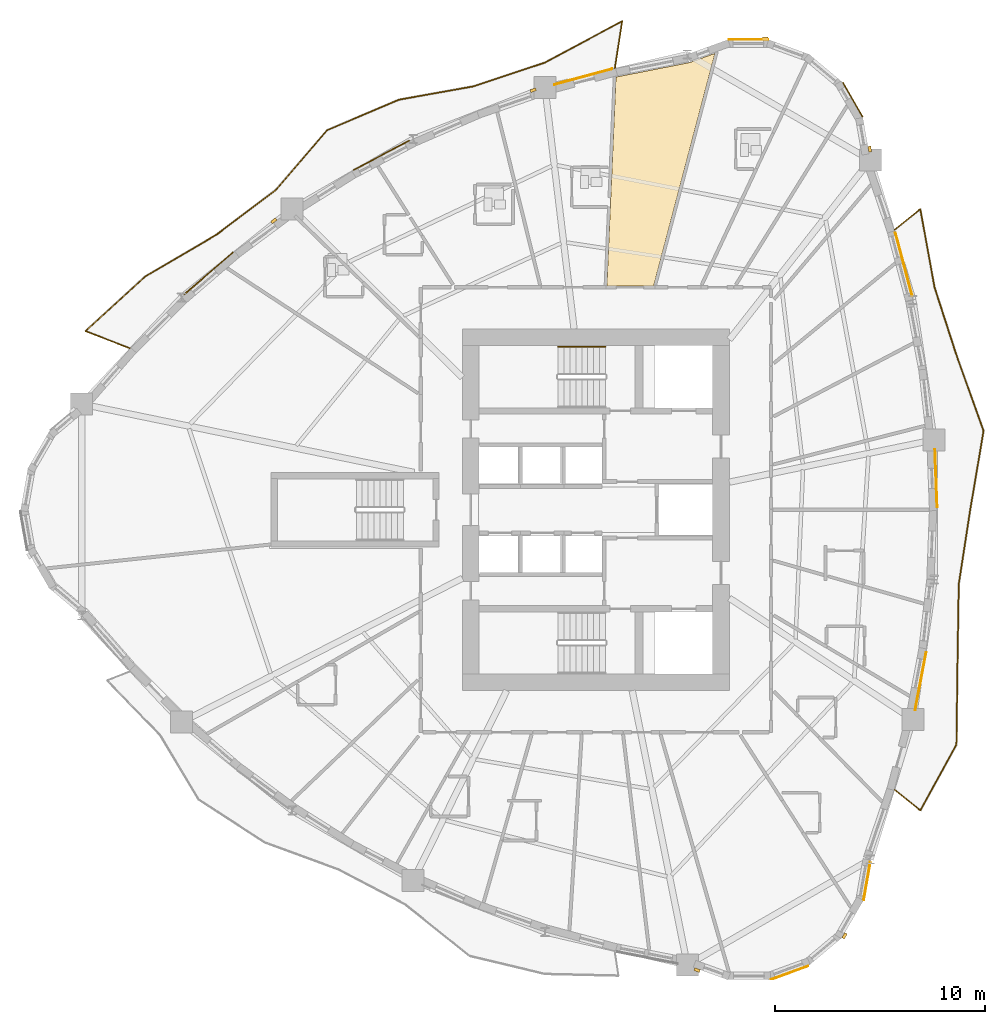
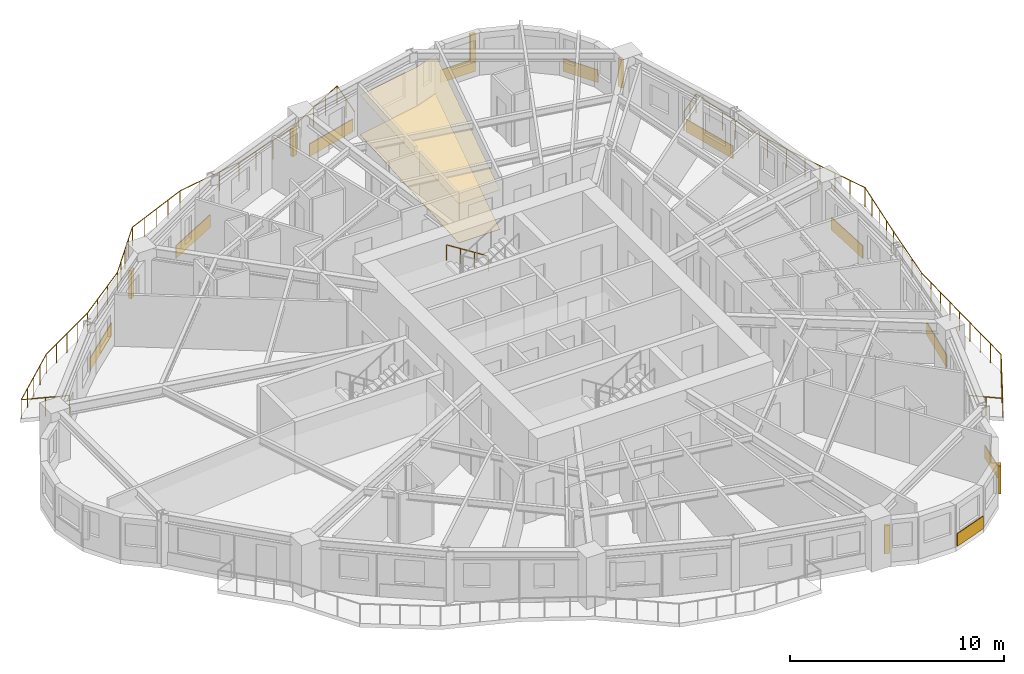
# One storey, part 13 of 14: 12 coverings, 6 shading devices, 3 railings.
"""IFC4 building model written with IfcOpenShell, lengths in metres."""

from ifc_helpers import new_model, si_unit, direction, frame, origin, origin_2d, place, context, subcontext, project, spatial, polyline, rectangle, circle, outline, extrude, source, transform, mapped, material, layer, layer_set, type_object, element, save


model = new_model("IFC4")

# Units and contexts
model_context = context("Model", 3, precision=1e-05, world=origin(), true_north=direction((0.0, 1.0)))
body_context = subcontext(model_context, "Body", "Model", "MODEL_VIEW")
ifc_project = project(units=[si_unit("LENGTHUNIT", "METRE"), si_unit("AREAUNIT", "SQUARE_METRE"), si_unit("VOLUMEUNIT", "CUBIC_METRE"), si_unit("PLANEANGLEUNIT", "RADIAN"), si_unit("MASSUNIT", "GRAM", prefix="KILO")], contexts=[model_context])

# Site, building, storey
site_placement = place(None, origin())
site = spatial("IfcSite", under=ifc_project, at=site_placement, CompositionType="ELEMENT")
building_placement = place(site_placement, origin())
building = spatial("IfcBuilding", under=site, at=building_placement, Name="Qafzar Sky-Pleat Residences", CompositionType="ELEMENT")
storey_placement = place(building_placement, frame((0.0, 0.0, 11.0)))
storey = spatial("IfcBuildingStorey", under=building, at=storey_placement, Name="L02", CompositionType="ELEMENT", Elevation=11.0)

# Coverings
ifc_material_1 = material(Name="Perforated acoustic gypsum board ceiling")
ifc_layer_1 = layer(ifc_material_1, 0.02001953125)
ifc_layer_set_1 = layer_set([ifc_layer_1], Name="Perforated acoustic gypsum board ceiling")
covering_type_1 = type_object("IfcCoveringType", Name="COV-CEIL-ACOUSTIC", PredefinedType="CEILING", material=ifc_layer_set_1)
covering_1_placement = place(storey_placement, frame((0.0, 0.0, 2.239990234375)))
element("IfcCovering", 1, at=covering_1_placement, inside=storey, type_object=covering_type_1, Name="L02 Communal Kitchen Acoustic Ceiling", PredefinedType="CEILING", context=body_context, shape_type="SweptSolid", body=[
    extrude(outline(polyline([(34.8076171875, 47.26416015625), (36.013427734375, 47.702880859375), (33.094970703125, 36.639892578125), (30.873291015625, 36.639892578125), (31.305419921875, 46.572998046875), (31.342041015625, 46.5830078125), (34.8076171875, 47.26416015625)])), origin(), (0.0, 0.0, 1.0), 0.02001953125),
])
ifc_material_2 = material(Name="Honed porcelain and Riyadh stone tile flooring", Category="masonry")
ifc_layer_2 = layer(ifc_material_2, 0.02001953125)
ifc_layer_set_2 = layer_set([ifc_layer_2], Name="Honed porcelain and Riyadh stone tile flooring")
covering_type_2 = type_object("IfcCoveringType", Name="COV-FLR-PORCELAIN", PredefinedType="FLOORING", material=ifc_layer_set_2)
covering_2_placement = place(storey_placement, origin())
element("IfcCovering", 2, at=covering_2_placement, inside=storey, type_object=covering_type_2, Name="L02 Communal Kitchen Honed Stone Flooring", PredefinedType="FLOORING", context=body_context, shape_type="SweptSolid", body=[
    extrude(outline(polyline([(34.8076171875, 47.26416015625), (36.013427734375, 47.702880859375), (33.094970703125, 36.639892578125), (30.873291015625, 36.639892578125), (31.305419921875, 46.572998046875), (31.342041015625, 46.5830078125), (34.8076171875, 47.26416015625)])), origin(), (0.0, 0.0, 1.0), 0.02001953125),
])

# Railings
ifc_material_3 = material(Name="Laminated glass and bronze steel balustrade", Category="steel")
railing_type_1 = type_object("IfcRailingType", Name="RAIL-BAL-1100", PredefinedType="BALUSTRADE", material=ifc_material_3)
shared_shape_1 = source(origin(), body_context, "Body", "SweptSolid", [
    extrude(circle(Radius=0.02392578125, at=origin_2d()), frame((0.0, 0.0, 1.076171875), z_axis=(0.779190452063, -0.626787236161, 0.0), x_axis=(0.626787236161, 0.779190452063, 0.0)), (0.0, 0.0, 1.0), 1.577880859375),
    extrude(circle(Radius=0.02392578125, at=origin_2d()), frame((1.2294921875, -0.989013671875, 1.076171875), z_axis=(0.481003643786, 0.876718594912, 0.0), x_axis=(-0.876718594912, 0.481003643786, 0.0)), (0.0, 0.0, 1.0), 3.5751953125),
    extrude(circle(Radius=0.02392578125, at=origin_2d()), frame((2.94921875, 2.1455078125, 1.076171875), z_axis=(0.012626033824, 0.999920288458, 0.0), x_axis=(-0.999920288458, 0.012626033824, 0.0)), (0.0, 0.0, 1.0), 3.9638671875),
    extrude(circle(Radius=0.02392578125, at=origin_2d()), frame((2.999267578125, 6.109130859375, 1.076171875), z_axis=(0.015856215298, 0.999874282316, 0.0), x_axis=(-0.999874282316, 0.015856215298, 0.0)), (0.0, 0.0, 1.0), 3.66455078125),
    extrude(circle(Radius=0.02392578125, at=origin_2d()), frame((3.057373046875, 9.773193359375, 1.076171875), z_axis=(0.152416048912, 0.988316421008, 0.0), x_axis=(-0.988316421008, 0.152416048912, 0.0)), (0.0, 0.0, 1.0), 3.578369140625),
    extrude(circle(Radius=0.02392578125, at=origin_2d()), frame((3.602783203125, 13.309814453125, 1.076171875), z_axis=(0.167094480842, 0.98594088792, 0.0), x_axis=(-0.98594088792, 0.167094480842, 0.0)), (0.0, 0.0, 1.0), 3.80322265625),
    extrude(circle(Radius=0.02392578125, at=origin_2d()), frame((4.23828125, 17.0595703125, 1.076171875), z_axis=(-0.33791768738, 0.941175667214, 0.0), x_axis=(-0.941175667214, -0.33791768738, 0.0)), (0.0, 0.0, 1.0), 3.66650390625),
    extrude(circle(Radius=0.02392578125, at=origin_2d()), frame((2.999267578125, 20.510498046875, 1.076171875), z_axis=(-0.308292175959, 0.951291718792, 0.0), x_axis=(-0.951291718792, -0.308292175959, 0.0)), (0.0, 0.0, 1.0), 3.539794921875),
    extrude(circle(Radius=0.02392578125, at=origin_2d()), frame((1.907958984375, 23.8779296875, 1.076171875), z_axis=(-0.178925099034, 0.983862698213, 0.0), x_axis=(-0.983862698213, -0.178925099034, 0.0)), (0.0, 0.0, 1.0), 3.7919921875),
    extrude(circle(Radius=0.02392578125, at=origin_2d()), frame((1.2294921875, 27.608642578125, 1.076171875), z_axis=(-0.779190452063, -0.626787236161, 0.0), x_axis=(0.626787236161, -0.779190452063, 0.0)), (0.0, 0.0, 1.0), 1.577880859375),
    extrude(circle(Radius=0.02099609375, at=origin_2d()), origin(), (0.0, 0.0, 1.0), 1.052001953125),
    extrude(circle(Radius=0.02099609375, at=origin_2d()), frame((0.61474609375, -0.49462890625, 0.0)), (0.0, 0.0, 1.0), 1.052001953125),
    extrude(circle(Radius=0.02099609375, at=origin_2d()), frame((1.2294921875, -0.989013671875, 0.0)), (0.0, 0.0, 1.0), 1.052001953125),
    extrude(circle(Radius=0.02099609375, at=origin_2d()), frame((1.802734375, 0.055908203125, 0.0)), (0.0, 0.0, 1.0), 1.052001953125),
    extrude(circle(Radius=0.02099609375, at=origin_2d()), frame((2.3759765625, 1.1005859375, 0.0)), (0.0, 0.0, 1.0), 1.052001953125),
    extrude(circle(Radius=0.02099609375, at=origin_2d()), frame((2.94921875, 2.1455078125, 0.0)), (0.0, 0.0, 1.0), 1.052001953125),
    extrude(circle(Radius=0.02099609375, at=origin_2d()), frame((2.961669921875, 3.136474609375, 0.0)), (0.0, 0.0, 1.0), 1.052001953125),
    extrude(circle(Radius=0.02099609375, at=origin_2d()), frame((2.97412109375, 4.12744140625, 0.0)), (0.0, 0.0, 1.0), 1.052001953125),
    extrude(circle(Radius=0.02099609375, at=origin_2d()), frame((2.98681640625, 5.1181640625, 0.0)), (0.0, 0.0, 1.0), 1.052001953125),
    extrude(circle(Radius=0.02099609375, at=origin_2d()), frame((2.999267578125, 6.109130859375, 0.0)), (0.0, 0.0, 1.0), 1.052001953125),
    extrude(circle(Radius=0.02099609375, at=origin_2d()), frame((3.013671875, 7.025146484375, 0.0)), (0.0, 0.0, 1.0), 1.052001953125),
    extrude(circle(Radius=0.02099609375, at=origin_2d()), frame((3.0283203125, 7.941162109375, 0.0)), (0.0, 0.0, 1.0), 1.052001953125),
    extrude(circle(Radius=0.02099609375, at=origin_2d()), frame((3.04296875, 8.857177734375, 0.0)), (0.0, 0.0, 1.0), 1.052001953125),
    extrude(circle(Radius=0.02099609375, at=origin_2d()), frame((3.057373046875, 9.773193359375, 0.0)), (0.0, 0.0, 1.0), 1.052001953125),
    extrude(circle(Radius=0.02099609375, at=origin_2d()), frame((3.2392578125, 10.9521484375, 0.0)), (0.0, 0.0, 1.0), 1.052001953125),
    extrude(circle(Radius=0.02099609375, at=origin_2d()), frame((3.4208984375, 12.130859375, 0.0)), (0.0, 0.0, 1.0), 1.052001953125),
    extrude(circle(Radius=0.02099609375, at=origin_2d()), frame((3.602783203125, 13.309814453125, 0.0)), (0.0, 0.0, 1.0), 1.052001953125),
    extrude(circle(Radius=0.02099609375, at=origin_2d()), frame((3.76171875, 14.247314453125, 0.0)), (0.0, 0.0, 1.0), 1.052001953125),
    extrude(circle(Radius=0.02099609375, at=origin_2d()), frame((3.92041015625, 15.1845703125, 0.0)), (0.0, 0.0, 1.0), 1.052001953125),
    extrude(circle(Radius=0.02099609375, at=origin_2d()), frame((4.079345703125, 16.1220703125, 0.0)), (0.0, 0.0, 1.0), 1.052001953125),
    extrude(circle(Radius=0.02099609375, at=origin_2d()), frame((4.23828125, 17.0595703125, 0.0)), (0.0, 0.0, 1.0), 1.052001953125),
    extrude(circle(Radius=0.02099609375, at=origin_2d()), frame((3.928466796875, 17.92236328125, 0.0)), (0.0, 0.0, 1.0), 1.052001953125),
    extrude(circle(Radius=0.02099609375, at=origin_2d()), frame((3.61865234375, 18.78515625, 0.0)), (0.0, 0.0, 1.0), 1.052001953125),
    extrude(circle(Radius=0.02099609375, at=origin_2d()), frame((3.30908203125, 19.647705078125, 0.0)), (0.0, 0.0, 1.0), 1.052001953125),
    extrude(circle(Radius=0.02099609375, at=origin_2d()), frame((2.999267578125, 20.510498046875, 0.0)), (0.0, 0.0, 1.0), 1.052001953125),
    extrude(circle(Radius=0.02099609375, at=origin_2d()), frame((2.635498046875, 21.633056640625, 0.0)), (0.0, 0.0, 1.0), 1.052001953125),
    extrude(circle(Radius=0.02099609375, at=origin_2d()), frame((2.271728515625, 22.75537109375, 0.0)), (0.0, 0.0, 1.0), 1.052001953125),
    extrude(circle(Radius=0.02099609375, at=origin_2d()), frame((1.907958984375, 23.8779296875, 0.0)), (0.0, 0.0, 1.0), 1.052001953125),
    extrude(circle(Radius=0.02099609375, at=origin_2d()), frame((1.73828125, 24.810546875, 0.0)), (0.0, 0.0, 1.0), 1.052001953125),
    extrude(circle(Radius=0.02099609375, at=origin_2d()), frame((1.56884765625, 25.7431640625, 0.0)), (0.0, 0.0, 1.0), 1.052001953125),
    extrude(circle(Radius=0.02099609375, at=origin_2d()), frame((1.399169921875, 26.676025390625, 0.0)), (0.0, 0.0, 1.0), 1.052001953125),
    extrude(circle(Radius=0.02099609375, at=origin_2d()), frame((1.2294921875, 27.608642578125, 0.0)), (0.0, 0.0, 1.0), 1.052001953125),
    extrude(circle(Radius=0.02099609375, at=origin_2d()), frame((0.61474609375, 27.1142578125, 0.0)), (0.0, 0.0, 1.0), 1.052001953125),
    extrude(circle(Radius=0.02099609375, at=origin_2d()), frame((0.0, 26.61962890625, 0.0)), (0.0, 0.0, 1.0), 1.052001953125),
])
railing_1_placement = place(storey_placement, frame((44.546630859375, 12.690185546875, 0.0)))
element("IfcRailing", 3, at=railing_1_placement, inside=storey, type_object=railing_type_1, Name="L02 Pleated Balcony 1 Balustrade", PredefinedType="BALUSTRADE", context=body_context, shape_type="MappedRepresentation", body=[
    mapped(shared_shape_1, transform((0.0, 0.0, 0.0), x_axis=(1.0, 0.0, 0.0), y_axis=(0.0, 1.0, 0.0), z_axis=(0.0, 0.0, 1.0), scale=1.0)),
])
shared_shape_2 = source(origin(), body_context, "Body", "SweptSolid", [
    extrude(circle(Radius=0.02392578125, at=origin_2d()), frame((0.0, 0.0, 1.076171875), z_axis=(0.153196150484, 0.988195800172, 0.0), x_axis=(-0.988195800172, 0.153196150484, 0.0)), (0.0, 0.0, 1.0), 2.27099609375),
    extrude(circle(Radius=0.02392578125, at=origin_2d()), frame((0.347900390625, 2.244140625, 1.076171875), z_axis=(-0.882156638749, -0.470956117606, 0.0), x_axis=(0.470956117606, -0.882156638749, 0.0)), (0.0, 0.0, 1.0), 4.16748046875),
    extrude(circle(Radius=0.02392578125, at=origin_2d()), frame((-3.328369140625, 0.281494140625, 1.076171875), z_axis=(-0.948553569245, -0.316616686662, 0.0), x_axis=(0.316616686662, -0.948553569245, 0.0)), (0.0, 0.0, 1.0), 3.577880859375),
    extrude(circle(Radius=0.02392578125, at=origin_2d()), frame((-6.72216796875, -0.851318359375, 1.076171875), z_axis=(-0.984317474908, -0.176406090007, 0.0), x_axis=(0.176406090007, -0.984317474908, 0.0)), (0.0, 0.0, 1.0), 3.596923828125),
    extrude(circle(Radius=0.02392578125, at=origin_2d()), frame((-10.2626953125, -1.48583984375, 1.076171875), z_axis=(-0.920414482736, -0.39094396014, 0.0), x_axis=(0.39094396014, -0.920414482736, 0.0)), (0.0, 0.0, 1.0), 3.706298828125),
    extrude(circle(Radius=0.02392578125, at=origin_2d()), frame((-13.674072265625, -2.934814453125, 1.076171875), z_axis=(-0.652222762025, -0.758027353528, 0.0), x_axis=(0.758027353528, -0.652222762025, 0.0)), (0.0, 0.0, 1.0), 3.747314453125),
    extrude(circle(Radius=0.02392578125, at=origin_2d()), frame((-16.1181640625, -5.775390625, 1.076171875), z_axis=(-0.798496449642, -0.601999518197, 0.0), x_axis=(0.601999518197, -0.798496449642, 0.0)), (0.0, 0.0, 1.0), 3.55224609375),
    extrude(circle(Radius=0.02392578125, at=origin_2d()), frame((-18.95458984375, -7.913818359375, 1.076171875), z_axis=(-0.863249831137, -0.504776910171, 0.0), x_axis=(0.504776910171, -0.863249831137, 0.0)), (0.0, 0.0, 1.0), 3.903076171875),
    extrude(circle(Radius=0.02392578125, at=origin_2d()), frame((-22.323974609375, -9.884033203125, 1.076171875), z_axis=(-0.737734335543, -0.675091142114, 0.0), x_axis=(0.675091142114, -0.737734335543, 0.0)), (0.0, 0.0, 1.0), 3.8583984375),
    extrude(circle(Radius=0.02392578125, at=origin_2d()), frame((-25.17041015625, -12.48876953125, 1.076171875), z_axis=(0.932397541729, -0.361434398166, 0.0), x_axis=(0.361434398166, 0.932397541729, 0.0)), (0.0, 0.0, 1.0), 2.27099609375),
    extrude(circle(Radius=0.02099609375, at=origin_2d()), origin(), (0.0, 0.0, 1.0), 1.052001953125),
    extrude(circle(Radius=0.02099609375, at=origin_2d()), frame((0.173828125, 1.1220703125, 0.0)), (0.0, 0.0, 1.0), 1.052001953125),
    extrude(circle(Radius=0.02099609375, at=origin_2d()), frame((0.347900390625, 2.244140625, 0.0)), (0.0, 0.0, 1.0), 1.052001953125),
    extrude(circle(Radius=0.02099609375, at=origin_2d()), frame((-0.5712890625, 1.75341796875, 0.0)), (0.0, 0.0, 1.0), 1.052001953125),
    extrude(circle(Radius=0.02099609375, at=origin_2d()), frame((-1.490234375, 1.2626953125, 0.0)), (0.0, 0.0, 1.0), 1.052001953125),
    extrude(circle(Radius=0.02099609375, at=origin_2d()), frame((-2.4091796875, 0.772216796875, 0.0)), (0.0, 0.0, 1.0), 1.052001953125),
    extrude(circle(Radius=0.02099609375, at=origin_2d()), frame((-3.328369140625, 0.281494140625, 0.0)), (0.0, 0.0, 1.0), 1.052001953125),
    extrude(circle(Radius=0.02099609375, at=origin_2d()), frame((-4.459716796875, -0.09619140625, 0.0)), (0.0, 0.0, 1.0), 1.052001953125),
    extrude(circle(Radius=0.02099609375, at=origin_2d()), frame((-5.5908203125, -0.4736328125, 0.0)), (0.0, 0.0, 1.0), 1.052001953125),
    extrude(circle(Radius=0.02099609375, at=origin_2d()), frame((-6.72216796875, -0.851318359375, 0.0)), (0.0, 0.0, 1.0), 1.052001953125),
    extrude(circle(Radius=0.02099609375, at=origin_2d()), frame((-7.90234375, -1.062744140625, 0.0)), (0.0, 0.0, 1.0), 1.052001953125),
    extrude(circle(Radius=0.02099609375, at=origin_2d()), frame((-9.08251953125, -1.2744140625, 0.0)), (0.0, 0.0, 1.0), 1.052001953125),
    extrude(circle(Radius=0.02099609375, at=origin_2d()), frame((-10.2626953125, -1.48583984375, 0.0)), (0.0, 0.0, 1.0), 1.052001953125),
    extrude(circle(Radius=0.02099609375, at=origin_2d()), frame((-11.115478515625, -1.84814453125, 0.0)), (0.0, 0.0, 1.0), 1.052001953125),
    extrude(circle(Radius=0.02099609375, at=origin_2d()), frame((-11.96826171875, -2.21044921875, 0.0)), (0.0, 0.0, 1.0), 1.052001953125),
    extrude(circle(Radius=0.02099609375, at=origin_2d()), frame((-12.8212890625, -2.572509765625, 0.0)), (0.0, 0.0, 1.0), 1.052001953125),
    extrude(circle(Radius=0.02099609375, at=origin_2d()), frame((-13.674072265625, -2.934814453125, 0.0)), (0.0, 0.0, 1.0), 1.052001953125),
    extrude(circle(Radius=0.02099609375, at=origin_2d()), frame((-14.28515625, -3.64501953125, 0.0)), (0.0, 0.0, 1.0), 1.052001953125),
    extrude(circle(Radius=0.02099609375, at=origin_2d()), frame((-14.89599609375, -4.35498046875, 0.0)), (0.0, 0.0, 1.0), 1.052001953125),
    extrude(circle(Radius=0.02099609375, at=origin_2d()), frame((-15.507080078125, -5.065185546875, 0.0)), (0.0, 0.0, 1.0), 1.052001953125),
    extrude(circle(Radius=0.02099609375, at=origin_2d()), frame((-16.1181640625, -5.775390625, 0.0)), (0.0, 0.0, 1.0), 1.052001953125),
    extrude(circle(Radius=0.02099609375, at=origin_2d()), frame((-17.063720703125, -6.48828125, 0.0)), (0.0, 0.0, 1.0), 1.052001953125),
    extrude(circle(Radius=0.02099609375, at=origin_2d()), frame((-18.009033203125, -7.200927734375, 0.0)), (0.0, 0.0, 1.0), 1.052001953125),
    extrude(circle(Radius=0.02099609375, at=origin_2d()), frame((-18.95458984375, -7.913818359375, 0.0)), (0.0, 0.0, 1.0), 1.052001953125),
    extrude(circle(Radius=0.02099609375, at=origin_2d()), frame((-19.796875, -8.40625, 0.0)), (0.0, 0.0, 1.0), 1.052001953125),
    extrude(circle(Radius=0.02099609375, at=origin_2d()), frame((-20.63916015625, -8.89892578125, 0.0)), (0.0, 0.0, 1.0), 1.052001953125),
    extrude(circle(Radius=0.02099609375, at=origin_2d()), frame((-21.481689453125, -9.3916015625, 0.0)), (0.0, 0.0, 1.0), 1.052001953125),
    extrude(circle(Radius=0.02099609375, at=origin_2d()), frame((-22.323974609375, -9.884033203125, 0.0)), (0.0, 0.0, 1.0), 1.052001953125),
    extrude(circle(Radius=0.02099609375, at=origin_2d()), frame((-23.03564453125, -10.53515625, 0.0)), (0.0, 0.0, 1.0), 1.052001953125),
    extrude(circle(Radius=0.02099609375, at=origin_2d()), frame((-23.7470703125, -11.1865234375, 0.0)), (0.0, 0.0, 1.0), 1.052001953125),
    extrude(circle(Radius=0.02099609375, at=origin_2d()), frame((-24.458740234375, -11.837646484375, 0.0)), (0.0, 0.0, 1.0), 1.052001953125),
    extrude(circle(Radius=0.02099609375, at=origin_2d()), frame((-25.17041015625, -12.48876953125, 0.0)), (0.0, 0.0, 1.0), 1.052001953125),
    extrude(circle(Radius=0.02099609375, at=origin_2d()), frame((-24.11181640625, -12.899169921875, 0.0)), (0.0, 0.0, 1.0), 1.052001953125),
    extrude(circle(Radius=0.02099609375, at=origin_2d()), frame((-23.052978515625, -13.3095703125, 0.0)), (0.0, 0.0, 1.0), 1.052001953125),
])
railing_2_placement = place(storey_placement, frame((31.253173828125, 46.984619140625, 0.0)))
element("IfcRailing", 4, at=railing_2_placement, inside=storey, type_object=railing_type_1, Name="L02 Pleated Balcony 2 Balustrade", PredefinedType="BALUSTRADE", context=body_context, shape_type="MappedRepresentation", body=[
    mapped(shared_shape_2, transform((0.0, 0.0, 0.0), x_axis=(1.0, 0.0, 0.0), y_axis=(0.0, 1.0, 0.0), z_axis=(0.0, 0.0, 1.0), scale=1.0)),
])

# Shading devices
ifc_material_4 = material(Name="Honed Riyadh limestone solar fin", Category="masonry")
ifc_layer_3 = layer(ifc_material_4, 0.139892578125)
ifc_layer_set_3 = layer_set([ifc_layer_3], Name="Honed Riyadh limestone solar fin")
shading_device_type = type_object("IfcShadingDeviceType", Name="SHD-FIN-STONE", PredefinedType="SHUTTER", material=ifc_layer_set_3)
shared_shape_3 = source(origin(), body_context, "Body", "SweptSolid", [
    extrude(rectangle(XDim=0.139892578125, YDim=0.280029296875, at=origin_2d()), origin(), (0.0, 0.0, 1.0), 1.60009765625),
])
for number, where, z_axis, x_axis, name in (
    (5, (35.162841796875, 4.11181640625, 0.599853515625), (0.0, 0.0, 1.0), (-0.342053959704, -0.939680311942, 0.0), "L02 Limestone Solar Fin 17"),
    (6, (42.17431640625, 5.7412109375, 0.599853515625), (0.0, 0.0, 1.0), (0.86604422228, -0.499967403994, 0.0), "L02 Limestone Solar Fin 21"),
    (7, (43.37451171875, 43.1474609375, 0.599853515625), (0.0, 0.0, 1.0), (0.984806040716, 0.173657888303, 0.0), "L02 Limestone Solar Fin 33"),
    (8, (38.405029296875, 48.404541015625, 0.599853515625), (0.0, 0.0, 1.0), (0.0, 1.0, 0.0), "L02 Limestone Solar Fin 37"),
    (9, (27.371826171875, 45.950439453125, 0.599853515625), (0.0, 0.0, 1.0), (-0.329543649686, 0.944140340708, 0.0), "L02 Limestone Solar Fin 41"),
    (10, (15.034912109375, 39.738525390625, 0.599853515625), (0.0, 0.0, 1.0), (-0.594868101573, 0.803823327436, 0.0), "L02 Limestone Solar Fin 45"),
):
    element("IfcShadingDevice", number, at=place(storey_placement, frame(where, z_axis=z_axis, x_axis=x_axis)), inside=storey, type_object=shading_device_type, Name=name, PredefinedType="SHUTTER", context=body_context, shape_type="MappedRepresentation", body=[
        mapped(shared_shape_3, transform((0.0, 0.0, 0.0), x_axis=(1.0, 0.0, 0.0), y_axis=(0.0, 1.0, 0.0), z_axis=(0.0, 0.0, 1.0), scale=1.0)),
    ])

# Coverings
ifc_material_5 = material(Name="Honed Riyadh Tuwaiq limestone cladding", Category="masonry")
ifc_layer_4 = layer(ifc_material_5, 0.044921875)
ifc_layer_set_4 = layer_set([ifc_layer_4], Name="Honed Riyadh Tuwaiq limestone cladding")
covering_type_3 = type_object("IfcCoveringType", Name="COV-CLAD-STONE", PredefinedType="CLADDING", material=ifc_layer_set_4)
shared_shape_4 = source(origin(), body_context, "Body", "SweptSolid", [
    extrude(rectangle(XDim=1.88134765625, YDim=0.044921875, at=origin_2d()), origin(), (0.0, 0.0, 1.0), 0.719970703125),
])
for number, where, z_axis, x_axis, name in (
    (11, (39.56103515625, 3.984130859375, 0.02001953125), (0.0, 0.0, 1.0), (0.939678833387, 0.342058021518, 0.0), "L02 Riyadh Limestone Spandrel Cladding 19"),
    (12, (42.565673828125, 45.49462890625, 0.02001953125), (0.0, 0.0, 1.0), (-0.499972303345, 0.866041393865, 0.0), "L02 Riyadh Limestone Spandrel Cladding 34"),
    (13, (37.60009765625, 48.361572265625, 0.02001953125), (0.0, 0.0, 1.0), (-1.0, 0.0, 0.0), "L02 Riyadh Limestone Spandrel Cladding 37"),
):
    element("IfcCovering", number, at=place(storey_placement, frame(where, z_axis=z_axis, x_axis=x_axis)), inside=storey, type_object=covering_type_3, Name=name, PredefinedType="CLADDING", context=body_context, shape_type="MappedRepresentation", body=[
        mapped(shared_shape_4, transform((0.0, 0.0, 0.0), x_axis=(1.0, 0.0, 0.0), y_axis=(0.0, 1.0, 0.0), z_axis=(0.0, 0.0, 1.0), scale=1.0)),
    ])
shared_shape_5 = source(origin(), body_context, "Body", "SweptSolid", [
    extrude(rectangle(XDim=1.8291015625, YDim=0.044921875, at=origin_2d()), origin(), (0.0, 0.0, 1.0), 0.719970703125),
])
covering_3_placement = place(storey_placement, frame((43.24169921875, 8.34814453125, 0.02001953125), z_axis=(0.0, 0.0, 1.0), x_axis=(0.17364778674, 0.984807821943, 0.0)))
element("IfcCovering", 14, at=covering_3_placement, inside=storey, type_object=covering_type_3, Name="L02 Riyadh Limestone Spandrel Cladding 22", PredefinedType="CLADDING", context=body_context, shape_type="MappedRepresentation", body=[
    mapped(shared_shape_5, transform((0.0, 0.0, 0.0), x_axis=(1.0, 0.0, 0.0), y_axis=(0.0, 1.0, 0.0), z_axis=(0.0, 0.0, 1.0), scale=1.0)),
])
shared_shape_6 = source(origin(), body_context, "Body", "SweptSolid", [
    extrude(rectangle(XDim=2.810791015625, YDim=0.044921875, at=origin_2d()), origin(), (0.0, 0.0, 1.0), 0.719970703125),
])
covering_4_placement = place(storey_placement, frame((45.791015625, 17.84814453125, 0.02001953125), z_axis=(0.0, 0.0, 1.0), x_axis=(0.186679497736, 0.982420869651, 0.0)))
element("IfcCovering", 15, at=covering_4_placement, inside=storey, type_object=covering_type_3, Name="L02 Riyadh Limestone Spandrel Cladding 25", PredefinedType="CLADDING", context=body_context, shape_type="MappedRepresentation", body=[
    mapped(shared_shape_6, transform((0.0, 0.0, 0.0), x_axis=(1.0, 0.0, 0.0), y_axis=(0.0, 1.0, 0.0), z_axis=(0.0, 0.0, 1.0), scale=1.0)),
])
shared_shape_7 = source(origin(), body_context, "Body", "SweptSolid", [
    extrude(rectangle(XDim=2.75927734375, YDim=0.044921875, at=origin_2d()), origin(), (0.0, 0.0, 1.0), 0.719970703125),
])
covering_5_placement = place(storey_placement, frame((46.5244140625, 27.49462890625, 0.02001953125), z_axis=(0.0, 0.0, 1.0), x_axis=(-0.037998453983, 0.99927779796, 0.0)))
element("IfcCovering", 16, at=covering_5_placement, inside=storey, type_object=covering_type_3, Name="L02 Riyadh Limestone Spandrel Cladding 28", PredefinedType="CLADDING", context=body_context, shape_type="MappedRepresentation", body=[
    mapped(shared_shape_7, transform((0.0, 0.0, 0.0), x_axis=(1.0, 0.0, 0.0), y_axis=(0.0, 1.0, 0.0), z_axis=(0.0, 0.0, 1.0), scale=1.0)),
])
shared_shape_8 = source(origin(), body_context, "Body", "SweptSolid", [
    extrude(rectangle(XDim=3.11328125, YDim=0.044921875, at=origin_2d()), origin(), (0.0, 0.0, 1.0), 0.719970703125),
])
covering_6_placement = place(storey_placement, frame((44.993408203125, 37.673095703125, 0.02001953125), z_axis=(0.0, 0.0, 1.0), x_axis=(-0.257050850692, 0.966397878805, 0.0)))
element("IfcCovering", 17, at=covering_6_placement, inside=storey, type_object=covering_type_3, Name="L02 Riyadh Limestone Spandrel Cladding 31", PredefinedType="CLADDING", context=body_context, shape_type="MappedRepresentation", body=[
    mapped(shared_shape_8, transform((0.0, 0.0, 0.0), x_axis=(1.0, 0.0, 0.0), y_axis=(0.0, 1.0, 0.0), z_axis=(0.0, 0.0, 1.0), scale=1.0)),
])
shared_shape_9 = source(origin(), body_context, "Body", "SweptSolid", [
    extrude(rectangle(XDim=2.861328125, YDim=0.044921875, at=origin_2d()), origin(), (0.0, 0.0, 1.0), 0.719970703125),
])
covering_7_placement = place(storey_placement, frame((29.74755859375, 46.589599609375, 0.02001953125), z_axis=(0.0, 0.0, 1.0), x_axis=(-0.965455832178, -0.26056675942, 0.0)))
element("IfcCovering", 18, at=covering_7_placement, inside=storey, type_object=covering_type_3, Name="L02 Riyadh Limestone Spandrel Cladding 40", PredefinedType="CLADDING", context=body_context, shape_type="MappedRepresentation", body=[
    mapped(shared_shape_9, transform((0.0, 0.0, 0.0), x_axis=(1.0, 0.0, 0.0), y_axis=(0.0, 1.0, 0.0), z_axis=(0.0, 0.0, 1.0), scale=1.0)),
])
shared_shape_10 = source(origin(), body_context, "Body", "SweptSolid", [
    extrude(rectangle(XDim=3.01123046875, YDim=0.044921875, at=origin_2d()), origin(), (0.0, 0.0, 1.0), 0.719970703125),
])
covering_8_placement = place(storey_placement, frame((20.156005859375, 42.85546875, 0.02001953125), z_axis=(0.0, 0.0, 1.0), x_axis=(-0.884390578699, -0.466747580935, 0.0)))
element("IfcCovering", 19, at=covering_8_placement, inside=storey, type_object=covering_type_3, Name="L02 Riyadh Limestone Spandrel Cladding 43", PredefinedType="CLADDING", context=body_context, shape_type="MappedRepresentation", body=[
    mapped(shared_shape_10, transform((0.0, 0.0, 0.0), x_axis=(1.0, 0.0, 0.0), y_axis=(0.0, 1.0, 0.0), z_axis=(0.0, 0.0, 1.0), scale=1.0)),
])
shared_shape_11 = source(origin(), body_context, "Body", "SweptSolid", [
    extrude(rectangle(XDim=3.062744140625, YDim=0.044921875, at=origin_2d()), origin(), (0.0, 0.0, 1.0), 0.719970703125),
])
covering_9_placement = place(storey_placement, frame((11.938720703125, 37.239990234375, 0.02001953125), z_axis=(0.0, 0.0, 1.0), x_axis=(-0.757461573707, -0.65287974724, 0.0)))
element("IfcCovering", 20, at=covering_9_placement, inside=storey, type_object=covering_type_3, Name="L02 Riyadh Limestone Spandrel Cladding 46", PredefinedType="CLADDING", context=body_context, shape_type="MappedRepresentation", body=[
    mapped(shared_shape_11, transform((0.0, 0.0, 0.0), x_axis=(1.0, 0.0, 0.0), y_axis=(0.0, 1.0, 0.0), z_axis=(0.0, 0.0, 1.0), scale=1.0)),
])

# Railing
ifc_material_6 = material(Name="Brushed stainless steel handrail", Category="steel")
railing_type_2 = type_object("IfcRailingType", Name="RAIL-STAIR-HAND", PredefinedType="HANDRAIL", material=ifc_material_6)
shared_shape_12 = source(origin(), body_context, "Body", "SweptSolid", [
    extrude(circle(Radius=0.02392578125, at=origin_2d()), frame((0.0, 0.0, 0.8759765625), z_axis=(-0.84418770128, 0.0, 0.536047689118), x_axis=(0.0, -1.0, 0.0)), (0.0, 0.0, 1.0), 2.6533203125),
    extrude(circle(Radius=0.02099609375, at=origin_2d()), origin(), (0.0, 0.0, 1.0), 0.851806640625),
    extrude(circle(Radius=0.02099609375, at=origin_2d()), frame((-0.74658203125, 0.0, 0.47412109375)), (0.0, 0.0, 1.0), 0.851806640625),
    extrude(circle(Radius=0.02099609375, at=origin_2d()), frame((-1.493408203125, 0.0, 0.9482421875)), (0.0, 0.0, 1.0), 0.851806640625),
    extrude(circle(Radius=0.02099609375, at=origin_2d()), frame((-2.239990234375, 0.0, 1.42236328125)), (0.0, 0.0, 1.0), 0.851806640625),
])
railing_3_placement = place(storey_placement, frame((30.800048828125, 33.75, 0.177734375)))
element("IfcRailing", 21, at=railing_3_placement, inside=storey, type_object=railing_type_2, Name="L02 ST2 stair handrail 1", PredefinedType="HANDRAIL", context=body_context, shape_type="MappedRepresentation", body=[
    mapped(shared_shape_12, transform((0.0, 0.0, 0.0), x_axis=(1.0, 0.0, 0.0), y_axis=(0.0, 1.0, 0.0), z_axis=(0.0, 0.0, 1.0), scale=1.0)),
])

save(model, "model.ifc")
